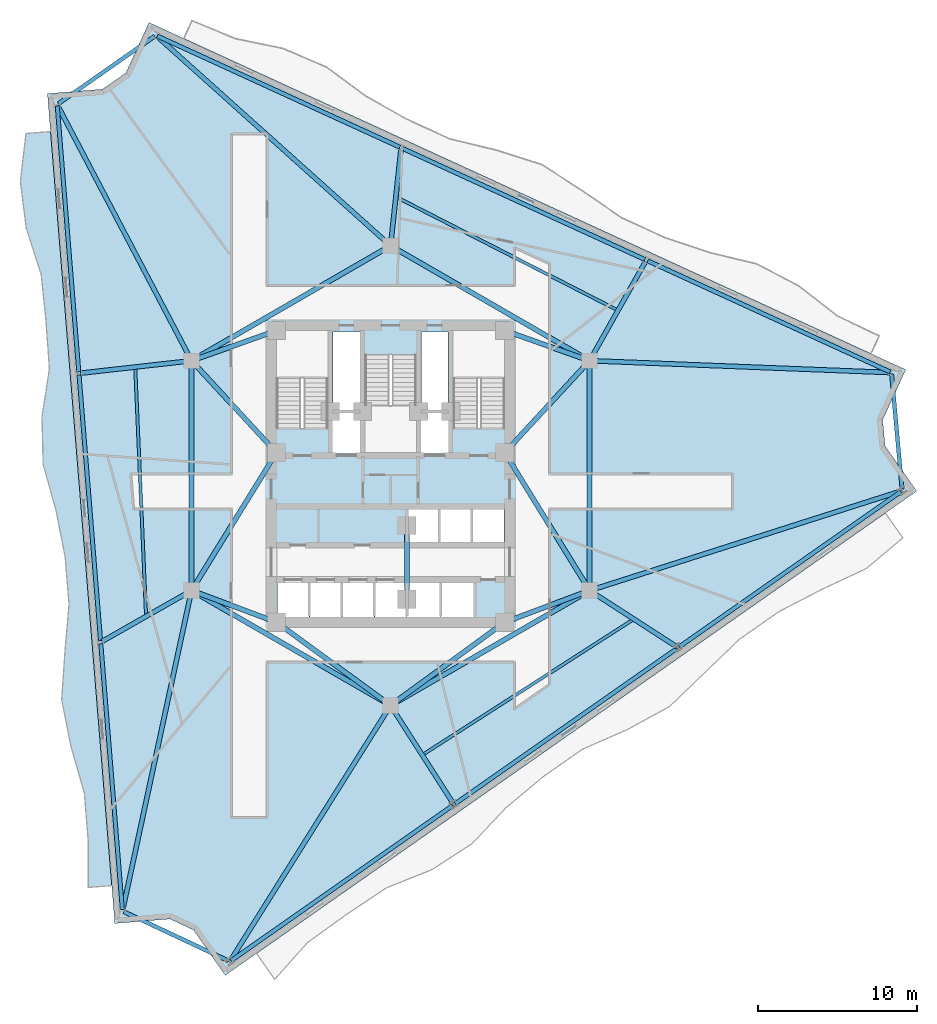
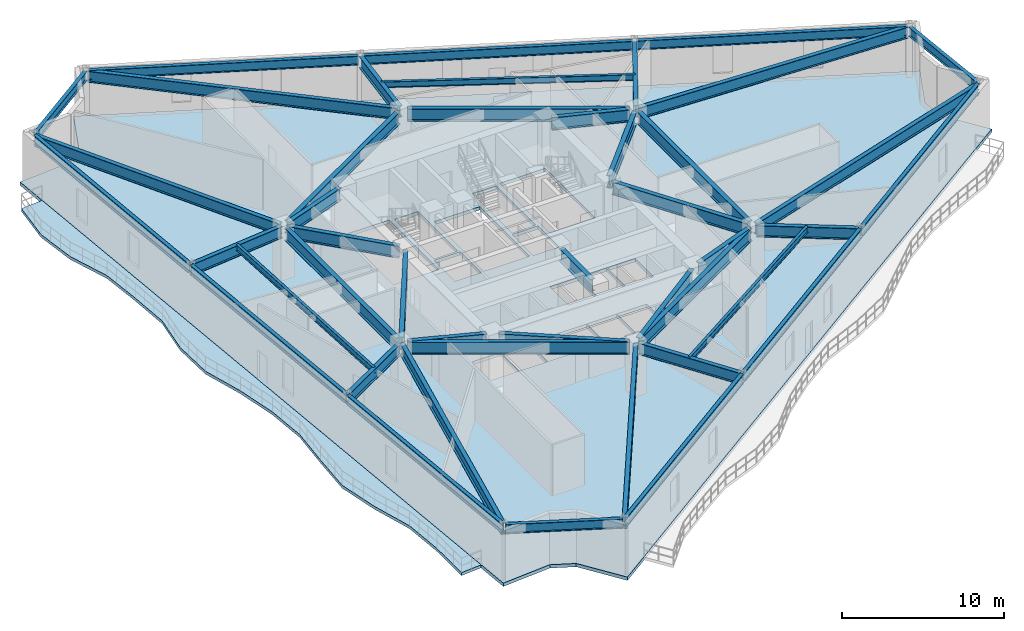
# One storey, part 3 of 11: 44 beams, 2 slabs.
"""IFC4 building model written with IfcOpenShell, lengths in metres."""

import ifcopenshell
import ifcopenshell.guid

model = None  # the IFC model being written
_history = None  # IfcOwnerHistory: only IFC2X3 demands one
_inside = {}  # id of a spatial element -> (the spatial element, [elements in it])
_under = {}  # id of a project, library or spatial element -> (it, [spatial elements below it])
_declared = {}  # id of a project -> (the project, [libraries it declares])
_typed = {}  # id of a type object -> (the type object, [elements of that type])
_made_of = {}  # id of a material, layer set ... -> (it, [elements and type objects made of it])


def new_model(schema):
    """Start an empty IFC model of exactly this schema.

    Asked for "IFC4X3", IfcOpenShell would pick the latest addendum, in which some entities
    have other attributes; the version numbers below select the first issue.
    IFC2X3 requires an IfcOwnerHistory on every rooted entity: one is made here for all.
    """
    global model, _history
    if schema == "IFC4X3":
        model = ifcopenshell.file(schema_version=(4, 3, 0, 0))
    else:
        model = ifcopenshell.file(schema=schema)
    _inside.clear()
    _under.clear()
    _declared.clear()
    _typed.clear()
    _made_of.clear()
    _history = None
    if model.schema == "IFC2X3":
        org = make("IfcOrganization", Name="unknown")
        user = make(
            "IfcPersonAndOrganization",
            ThePerson=make("IfcPerson", FamilyName="unknown"),
            TheOrganization=org,
        )
        app = make(
            "IfcApplication",
            ApplicationDeveloper=org,
            Version="unknown",
            ApplicationFullName="unknown",
            ApplicationIdentifier="unknown",
        )
        _history = make(
            "IfcOwnerHistory",
            OwningUser=user,
            OwningApplication=app,
            ChangeAction="ADDED",
            CreationDate=0,
        )
    return model


def make(cls, **values):
    """One entity of the class cls with the attributes given. An attribute that is None is left unset."""
    return model.create_entity(
        cls, **{name: value for name, value in values.items() if value is not None}
    )


def rooted(cls, **values):
    """An entity with a GlobalId (a new one), such as an element, a storey or a relation."""
    return make(cls, GlobalId=ifcopenshell.guid.new(), OwnerHistory=_history, **values)


def si_unit(unit_type, name, prefix=None):
    """IfcSIUnit, for example si_unit("LENGTHUNIT", "METRE", prefix="MILLI")."""
    return make("IfcSIUnit", UnitType=unit_type, Prefix=prefix, Name=name)


def assignment(units):
    """IfcUnitAssignment: the units of a project."""
    return None if units is None else make("IfcUnitAssignment", Units=units)


def point(xyz):
    """IfcCartesianPoint."""
    return None if xyz is None else make("IfcCartesianPoint", Coordinates=xyz)


def direction(xyz):
    """IfcDirection."""
    return None if xyz is None else make("IfcDirection", DirectionRatios=xyz)


def frame(location, z_axis=None, x_axis=None):
    """IfcAxis2Placement3D, a coordinate frame: its origin and axes. An axis left out is left unset."""
    return make(
        "IfcAxis2Placement3D",
        Location=point(location),
        Axis=direction(z_axis),
        RefDirection=direction(x_axis),
    )


def frame_2d(location, x_axis=None):
    """IfcAxis2Placement2D, a coordinate frame in the plane: its origin and x axis."""
    return make(
        "IfcAxis2Placement2D", Location=point(location), RefDirection=direction(x_axis)
    )


def origin():
    """The frame at (0, 0, 0) with its axes left unset."""
    return frame((0.0, 0.0, 0.0))


def origin_2d():
    """The frame at (0, 0) in the plane with its x axis left unset."""
    return frame_2d((0.0, 0.0))


def place(relative_to, where):
    """IfcLocalPlacement: puts the frame where relative to a parent placement (None: the world)."""
    return make(
        "IfcLocalPlacement", PlacementRelTo=relative_to, RelativePlacement=where
    )


def context(
    kind, dimensions, precision=None, world=None, true_north=None, identifier=None
):
    """IfcGeometricRepresentationContext, for example the 3D "Model" context."""
    return make(
        "IfcGeometricRepresentationContext",
        ContextIdentifier=identifier,
        ContextType=kind,
        CoordinateSpaceDimension=dimensions,
        Precision=precision,
        WorldCoordinateSystem=world,
        TrueNorth=true_north,
    )


def subcontext(parent, identifier, kind, view, scale=None):
    """IfcGeometricRepresentationSubContext, for example "Body" below "Model"."""
    return make(
        "IfcGeometricRepresentationSubContext",
        ContextIdentifier=identifier,
        ContextType=kind,
        ParentContext=parent,
        TargetScale=scale,
        TargetView=view,
    )


def project(units=None, contexts=None):
    """IfcProject with its units and contexts."""
    return rooted(
        "IfcProject",
        Name="project",
        RepresentationContexts=contexts,
        UnitsInContext=assignment(units),
    )


def spatial(cls, under=None, at=None, **own):
    """A site, building, storey or space (cls), placed at a placement, below another one or the project."""
    s = rooted(cls, ObjectPlacement=at, **own)
    if under is not None:
        _under.setdefault(under.id(), (under, []))[1].append(s)
    return s


def polyline(points):
    """IfcPolyline through the points."""
    return make("IfcPolyline", Points=[point(p) for p in points])


def profile(cls, at=None, kind="AREA", **sizes):
    """A parametric profile (cls). Its sizes go by their IFC names, for example OverallWidth=200.0."""
    return make(cls, ProfileType=kind, Position=at, **sizes)


def i_section(**sizes):
    """IfcIShapeProfileDef."""
    return profile("IfcIShapeProfileDef", **sizes)


def outline(outer, holes=None, kind="AREA"):
    """IfcArbitraryClosedProfileDef: a profile drawn as a closed curve; with holes, ...WithVoids."""
    if holes is None:
        return make("IfcArbitraryClosedProfileDef", ProfileType=kind, OuterCurve=outer)
    return make(
        "IfcArbitraryProfileDefWithVoids",
        ProfileType=kind,
        OuterCurve=outer,
        InnerCurves=holes,
    )


def extrude(swept, where, along, depth):
    """IfcExtrudedAreaSolid: the profile swept, set in the frame where, extruded along a direction by depth."""
    return make(
        "IfcExtrudedAreaSolid",
        SweptArea=swept,
        Position=where,
        ExtrudedDirection=direction(along),
        Depth=depth,
    )


def shape(context_of_items, identifier, shape_type, items):
    """IfcShapeRepresentation: the items that make up one representation, for example the "Body"."""
    return make(
        "IfcShapeRepresentation",
        ContextOfItems=context_of_items,
        RepresentationIdentifier=identifier,
        RepresentationType=shape_type,
        Items=items,
    )


def material(Name=None, Category=None):
    """IfcMaterial."""
    return make("IfcMaterial", Name=Name, Category=Category)


def layer(
    of_material, thickness, ventilated=None, Name=None, Category=None, Priority=None
):
    """IfcMaterialLayer: one layer of a wall or slab, of a material (None: an air gap)."""
    return make(
        "IfcMaterialLayer",
        Material=of_material,
        LayerThickness=thickness,
        IsVentilated=ventilated,
        Name=Name,
        Category=Category,
        Priority=Priority,
    )


def layer_set(layers, Name=None):
    """IfcMaterialLayerSet."""
    return make("IfcMaterialLayerSet", MaterialLayers=layers, LayerSetName=Name)


def material_profile(
    of_material, cross_section, Name=None, Category=None, Priority=None
):
    """IfcMaterialProfile: a cross section and its material."""
    return make(
        "IfcMaterialProfile",
        Name=Name,
        Material=of_material,
        Profile=cross_section,
        Priority=Priority,
        Category=Category,
    )


def profile_set(profiles, Name=None, composite=None):
    """IfcMaterialProfileSet."""
    return make(
        "IfcMaterialProfileSet",
        Name=Name,
        MaterialProfiles=profiles,
        CompositeProfile=composite,
    )


def made_of(thing, what):
    """Note that an element or type object is made of a material, layer set ...; save() writes the relation."""
    if what is not None:
        _made_of.setdefault(what.id(), (what, []))[1].append(thing)
    return thing


def type_object(cls, material=None, **own):
    """A type object (cls), such as IfcWallType, which elements share."""
    return made_of(rooted(cls, **own), material)


def element(
    cls,
    number,
    at=None,
    inside=None,
    cuts=None,
    type_object=None,
    material=None,
    context=None,
    identifier="Body",
    shape_type=None,
    held_by="IfcProductDefinitionShape",
    body=None,
    shapes=None,
    **own,
):
    """One element of the class cls, such as IfcWall. Its Tag is "e" and its number.

    at: its placement. inside: the storey or other place that contains it. cuts: it is an
    opening in that element (IfcRelVoidsElement). A single representation is given by context,
    identifier, shape_type and body (its items); several are given by shapes. held_by: the class
    of the entity that holds the representations. save() writes the other relations.
    """
    e = rooted(cls, Tag="e%d" % number, ObjectPlacement=at, **own)
    if body is not None:
        shapes = [shape(context, identifier, shape_type, body)]
    if shapes is not None:
        e.Representation = make(held_by, Representations=shapes)
    if inside is not None:
        _inside.setdefault(inside.id(), (inside, []))[1].append(e)
    if cuts is not None:
        rooted(
            "IfcRelVoidsElement", RelatingBuildingElement=cuts, RelatedOpeningElement=e
        )
    if type_object is not None:
        _typed.setdefault(type_object.id(), (type_object, []))[1].append(e)
    return made_of(e, material)


def aggregate(whole, parts):
    """IfcRelAggregates: a whole, such as a stair, and the parts it consists of."""
    return rooted("IfcRelAggregates", RelatingObject=whole, RelatedObjects=parts)


def save(model, path):
    """Write the relations noted so far, then the file.

    IfcRelAggregates (storeys below a building ...), IfcRelContainedInSpatialStructure (elements
    in a storey), IfcRelDefinesByType, IfcRelAssociatesMaterial and IfcRelDeclares: one each for
    every whole, place, type object, material and project.
    """
    for whole, parts in _under.values():
        aggregate(whole, parts)
    for where, things in _inside.values():
        rooted(
            "IfcRelContainedInSpatialStructure",
            RelatedElements=things,
            RelatingStructure=where,
        )
    for kind, things in _typed.values():
        rooted("IfcRelDefinesByType", RelatedObjects=things, RelatingType=kind)
    for what, things in _made_of.values():
        rooted("IfcRelAssociatesMaterial", RelatedObjects=things, RelatingMaterial=what)
    for by, libraries in _declared.values():
        rooted("IfcRelDeclares", RelatingContext=by, RelatedDefinitions=libraries)
    model.write(path)


model = new_model("IFC4")

# Units and contexts
model_context = context("Model", 3, precision=1e-05, world=origin(), true_north=direction((0.0, 1.0)))
body_context = subcontext(model_context, "Body", "Model", "MODEL_VIEW")
ifc_project = project(units=[si_unit("LENGTHUNIT", "METRE"), si_unit("AREAUNIT", "SQUARE_METRE"), si_unit("VOLUMEUNIT", "CUBIC_METRE"), si_unit("PLANEANGLEUNIT", "RADIAN"), si_unit("MASSUNIT", "GRAM", prefix="KILO")], contexts=[model_context])

# Site, building, storey
site_placement = place(None, origin())
site = spatial("IfcSite", under=ifc_project, at=site_placement, CompositionType="ELEMENT")
building_placement = place(site_placement, origin())
building = spatial("IfcBuilding", under=site, at=building_placement, Name="Apsidion Concourse Tower", CompositionType="ELEMENT")
storey_placement = place(building_placement, frame((0.0, 0.0, 206.5)))
storey = spatial("IfcBuildingStorey", under=building, at=storey_placement, Name="L48", CompositionType="ELEMENT", Elevation=206.5)

# Beams
ifc_material_1 = material(Name="Structural steel ASTM A992 Grade 50", Category="steel")
ifc_material_profile_1 = material_profile(ifc_material_1, i_section(OverallWidth=0.19091796875, OverallDepth=0.45703125, WebThickness=0.009033203125, FlangeThickness=0.014404296875, at=origin_2d()), Name="W18X50")
ifc_profile_set_1 = profile_set([ifc_material_profile_1], Name="Structural steel ASTM A992 Grade 50")
beam_type_1 = type_object("IfcBeamType", Name="BM-FL-W18", PredefinedType="BEAM", material=ifc_profile_set_1)
beam_1_placement = place(storey_placement, frame((-16.11181640625, 6.8505859375, 3.62158203125), z_axis=(0.043631006422, -0.999047714215, 0.0), x_axis=(0.999047714215, 0.043631006422, 0.0)))
element("IfcBeam", 1, at=beam_1_placement, inside=storey, type_object=beam_type_1, Name="L48 Secondary Floor Beam SEC-F1", PredefinedType="BEAM", context=body_context, shape_type="SweptSolid", body=[
    extrude(i_section(OverallWidth=0.19091796875, OverallDepth=0.45703125, WebThickness=0.009033203125, FlangeThickness=0.014404296875, at=origin_2d()), origin(), (0.0, 0.0, 1.0), 15.745849609375),
])
beam_2_placement = place(storey_placement, frame((1.998291015625, -17.62744140625, 3.62158203125), z_axis=(0.841372392943, 0.540455822796, 0.0), x_axis=(-0.540455822796, 0.841372392943, 0.0)))
element("IfcBeam", 2, at=beam_2_placement, inside=storey, type_object=beam_type_1, Name="L48 Secondary Floor Beam SEC-F2", PredefinedType="BEAM", context=body_context, shape_type="SweptSolid", body=[
    extrude(i_section(OverallWidth=0.19091796875, OverallDepth=0.45703125, WebThickness=0.009033203125, FlangeThickness=0.014404296875, at=origin_2d()), origin(), (0.0, 0.0, 1.0), 15.866943359375),
])
beam_3_placement = place(storey_placement, frame((14.345947265625, 10.4208984375, 3.62158203125), z_axis=(-0.89021964365, 0.455531542332, 0.0), x_axis=(-0.455531542332, -0.89021964365, 0.0)))
element("IfcBeam", 3, at=beam_3_placement, inside=storey, type_object=beam_type_1, Name="L48 Secondary Floor Beam SEC-F3", PredefinedType="BEAM", context=body_context, shape_type="SweptSolid", body=[
    extrude(i_section(OverallWidth=0.19091796875, OverallDepth=0.45703125, WebThickness=0.009033203125, FlangeThickness=0.014404296875, at=origin_2d()), origin(), (0.0, 0.0, 1.0), 15.742431640625),
])
ifc_material_profile_2 = material_profile(ifc_material_1, i_section(OverallWidth=0.2919921875, OverallDepth=0.85888671875, WebThickness=0.01708984375, FlangeThickness=0.031005859375, at=origin_2d()), Name="W33X169")
ifc_profile_set_2 = profile_set([ifc_material_profile_2], Name="Structural steel ASTM A992 Grade 50")
beam_type_2 = type_object("IfcBeamType", Name="BM-G-W33", PredefinedType="USERDEFINED", material=ifc_profile_set_2)
beam_4_placement = place(storey_placement, frame((-12.662109375, 7.44482421875, 3.42041015625), z_axis=(-0.464502454228, 0.885571832217, 0.0), x_axis=(-0.885571832217, -0.464502454228, 0.0)))
element("IfcBeam", 4, at=beam_4_placement, inside=storey, type_object=beam_type_2, Name="L48 Radial Floor Girder RAD-01", ObjectType="GIRDER", PredefinedType="USERDEFINED", context=body_context, shape_type="SweptSolid", body=[
    extrude(i_section(OverallWidth=0.2919921875, OverallDepth=0.85888671875, WebThickness=0.01708984375, FlangeThickness=0.031005859375, at=origin_2d()), origin(), (0.0, 0.0, 1.0), 17.93115234375),
])
beam_5_placement = place(storey_placement, frame((-12.778564453125, 7.225341796875, 3.42041015625), z_axis=(-0.993738563009, -0.111730337821, 0.0), x_axis=(0.111730337821, -0.993738563009, 0.0)))
element("IfcBeam", 5, at=beam_5_placement, inside=storey, type_object=beam_type_2, Name="L48 Radial Floor Girder RAD-02", ObjectType="GIRDER", PredefinedType="USERDEFINED", context=body_context, shape_type="SweptSolid", body=[
    extrude(i_section(OverallWidth=0.2919921875, OverallDepth=0.85888671875, WebThickness=0.01708984375, FlangeThickness=0.031005859375, at=origin_2d()), origin(), (0.0, 0.0, 1.0), 6.828369140625),
])
beam_6_placement = place(storey_placement, frame((-12.751220703125, -7.35888671875, 3.42041015625), z_axis=(-0.869137581248, -0.494570384134, 0.0), x_axis=(0.494570384134, -0.869137581248, 0.0)))
element("IfcBeam", 6, at=beam_6_placement, inside=storey, type_object=beam_type_2, Name="L48 Radial Floor Girder RAD-03", ObjectType="GIRDER", PredefinedType="USERDEFINED", context=body_context, shape_type="SweptSolid", body=[
    extrude(i_section(OverallWidth=0.2919921875, OverallDepth=0.85888671875, WebThickness=0.01708984375, FlangeThickness=0.031005859375, at=origin_2d()), origin(), (0.0, 0.0, 1.0), 6.272216796875),
])
beam_7_placement = place(storey_placement, frame((-12.606201171875, -7.465087890625, 3.42041015625), z_axis=(-0.210551493457, -0.97758276816, 0.0), x_axis=(0.97758276816, -0.210551493457, 0.0)))
element("IfcBeam", 7, at=beam_7_placement, inside=storey, type_object=beam_type_2, Name="L48 Radial Floor Girder RAD-04", ObjectType="GIRDER", PredefinedType="USERDEFINED", context=body_context, shape_type="SweptSolid", body=[
    extrude(i_section(OverallWidth=0.2919921875, OverallDepth=0.85888671875, WebThickness=0.01708984375, FlangeThickness=0.031005859375, at=origin_2d()), origin(), (0.0, 0.0, 1.0), 20.365966796875),
])
beam_8_placement = place(storey_placement, frame((-0.116943359375, -14.686279296875, 3.42041015625), z_axis=(-0.531745770751, -0.846904029562, 0.0), x_axis=(0.846904029562, -0.531745770751, 0.0)))
element("IfcBeam", 8, at=beam_8_placement, inside=storey, type_object=beam_type_2, Name="L48 Radial Floor Girder RAD-05", ObjectType="GIRDER", PredefinedType="USERDEFINED", context=body_context, shape_type="SweptSolid", body=[
    extrude(i_section(OverallWidth=0.2919921875, OverallDepth=0.85888671875, WebThickness=0.01708984375, FlangeThickness=0.031005859375, at=origin_2d()), origin(), (0.0, 0.0, 1.0), 18.7568359375),
])
beam_9_placement = place(storey_placement, frame((0.118408203125, -14.685302734375, 3.42041015625), z_axis=(0.538373682335, -0.842706222933, 0.0), x_axis=(0.842706222933, 0.538373682335, 0.0)))
element("IfcBeam", 9, at=beam_9_placement, inside=storey, type_object=beam_type_2, Name="L48 Radial Floor Girder RAD-06", ObjectType="GIRDER", PredefinedType="USERDEFINED", context=body_context, shape_type="SweptSolid", body=[
    extrude(i_section(OverallWidth=0.2919921875, OverallDepth=0.85888671875, WebThickness=0.01708984375, FlangeThickness=0.031005859375, at=origin_2d()), origin(), (0.0, 0.0, 1.0), 7.102783203125),
])
beam_10_placement = place(storey_placement, frame((12.744873046875, -7.369384765625, 3.42041015625), z_axis=(0.839870608356, -0.542786662714, 0.0), x_axis=(0.542786662714, 0.839870608356, 0.0)))
element("IfcBeam", 10, at=beam_10_placement, inside=storey, type_object=beam_type_2, Name="L48 Radial Floor Girder RAD-07", ObjectType="GIRDER", PredefinedType="USERDEFINED", context=body_context, shape_type="SweptSolid", body=[
    extrude(i_section(OverallWidth=0.2919921875, OverallDepth=0.85888671875, WebThickness=0.01708984375, FlangeThickness=0.031005859375, at=origin_2d()), origin(), (0.0, 0.0, 1.0), 6.319580078125),
])
beam_11_placement = place(storey_placement, frame((12.76953125, -7.18310546875, 3.42041015625), z_axis=(0.952593847726, 0.304244903449, 0.0), x_axis=(-0.304244903449, 0.952593847726, 0.0)))
element("IfcBeam", 11, at=beam_11_placement, inside=storey, type_object=beam_type_2, Name="L48 Radial Floor Girder RAD-08", ObjectType="GIRDER", PredefinedType="USERDEFINED", context=body_context, shape_type="SweptSolid", body=[
    extrude(i_section(OverallWidth=0.2919921875, OverallDepth=0.85888671875, WebThickness=0.01708984375, FlangeThickness=0.031005859375, at=origin_2d()), origin(), (0.0, 0.0, 1.0), 20.378173828125),
])
beam_12_placement = place(storey_placement, frame((12.77978515625, 7.2412109375, 3.42041015625), z_axis=(0.999223835847, -0.039391951902, 0.0), x_axis=(0.039391951902, 0.999223835847, 0.0)))
element("IfcBeam", 12, at=beam_12_placement, inside=storey, type_object=beam_type_2, Name="L48 Radial Floor Girder RAD-09", ObjectType="GIRDER", PredefinedType="USERDEFINED", context=body_context, shape_type="SweptSolid", body=[
    extrude(i_section(OverallWidth=0.2919921875, OverallDepth=0.85888671875, WebThickness=0.01708984375, FlangeThickness=0.031005859375, at=origin_2d()), origin(), (0.0, 0.0, 1.0), 18.73583984375),
])
beam_13_placement = place(storey_placement, frame((12.66796875, 7.441650390625, 3.42041015625), z_axis=(0.4907642116, 0.871292424283, 0.0), x_axis=(-0.871292424283, 0.4907642116, 0.0)))
element("IfcBeam", 13, at=beam_13_placement, inside=storey, type_object=beam_type_2, Name="L48 Radial Floor Girder RAD-10", ObjectType="GIRDER", PredefinedType="USERDEFINED", context=body_context, shape_type="SweptSolid", body=[
    extrude(i_section(OverallWidth=0.2919921875, OverallDepth=0.85888671875, WebThickness=0.01708984375, FlangeThickness=0.031005859375, at=origin_2d()), origin(), (0.0, 0.0, 1.0), 6.95849609375),
])
beam_14_placement = place(storey_placement, frame((0.0234375, 14.71875, 3.42041015625), z_axis=(0.106642710953, 0.994297406313, 0.0), x_axis=(-0.994297406313, 0.106642710953, 0.0)))
element("IfcBeam", 14, at=beam_14_placement, inside=storey, type_object=beam_type_2, Name="L48 Radial Floor Girder RAD-11", ObjectType="GIRDER", PredefinedType="USERDEFINED", context=body_context, shape_type="SweptSolid", body=[
    extrude(i_section(OverallWidth=0.2919921875, OverallDepth=0.85888671875, WebThickness=0.01708984375, FlangeThickness=0.031005859375, at=origin_2d()), origin(), (0.0, 0.0, 1.0), 5.899658203125),
])
beam_15_placement = place(storey_placement, frame((-0.163818359375, 14.64697265625, 3.42041015625), z_axis=(-0.74450463884, 0.667617287632, 0.0), x_axis=(-0.667617287632, -0.74450463884, 0.0)))
element("IfcBeam", 15, at=beam_15_placement, inside=storey, type_object=beam_type_2, Name="L48 Radial Floor Girder RAD-12", ObjectType="GIRDER", PredefinedType="USERDEFINED", context=body_context, shape_type="SweptSolid", body=[
    extrude(i_section(OverallWidth=0.2919921875, OverallDepth=0.85888671875, WebThickness=0.01708984375, FlangeThickness=0.031005859375, at=origin_2d()), origin(), (0.0, 0.0, 1.0), 19.566162109375),
])
ifc_material_profile_3 = material_profile(ifc_material_1, i_section(OverallWidth=0.31005859375, OverallDepth=0.931884765625, WebThickness=0.02099609375, FlangeThickness=0.034423828125, at=origin_2d()), Name="W36X210")
ifc_profile_set_3 = profile_set([ifc_material_profile_3], Name="Structural steel ASTM A992 Grade 50")
beam_type_3 = type_object("IfcBeamType", Name="BM-G-W36", PredefinedType="USERDEFINED", material=ifc_profile_set_3)
beam_16_placement = place(storey_placement, frame((-12.185302734375, -7.389892578125, 3.384033203125), z_axis=(0.936913021145, -0.349562570664, 0.0), x_axis=(0.349562570664, 0.936913021145, 0.0)))
element("IfcBeam", 16, at=beam_16_placement, inside=storey, type_object=beam_type_3, Name="L48 Core Coupling Girder IC1-SC1", ObjectType="GIRDER", PredefinedType="USERDEFINED", context=body_context, shape_type="SweptSolid", body=[
    extrude(i_section(OverallWidth=0.31005859375, OverallDepth=0.931884765625, WebThickness=0.02099609375, FlangeThickness=0.034423828125, at=origin_2d()), origin(), (0.0, 0.0, 1.0), 4.921142578125),
])
beam_17_placement = place(storey_placement, frame((-12.35009765625, -6.909423828125, 3.384033203125), z_axis=(0.524524009763, 0.851395656074, 0.0), x_axis=(-0.851395656074, 0.524524009763, 0.0)))
element("IfcBeam", 17, at=beam_17_placement, inside=storey, type_object=beam_type_3, Name="L48 Core Coupling Girder IC1-SC6", ObjectType="GIRDER", PredefinedType="USERDEFINED", context=body_context, shape_type="SweptSolid", body=[
    extrude(i_section(OverallWidth=0.31005859375, OverallDepth=0.931884765625, WebThickness=0.02099609375, FlangeThickness=0.034423828125, at=origin_2d()), origin(), (0.0, 0.0, 1.0), 9.41845703125),
])
beam_18_placement = place(storey_placement, frame((12.185302734375, -7.389892578125, 3.384033203125), z_axis=(-0.936913021145, -0.349562570664, 0.0), x_axis=(0.349562570664, -0.936913021145, 0.0)))
element("IfcBeam", 18, at=beam_18_placement, inside=storey, type_object=beam_type_3, Name="L48 Core Coupling Girder IC2-SC2", ObjectType="GIRDER", PredefinedType="USERDEFINED", context=body_context, shape_type="SweptSolid", body=[
    extrude(i_section(OverallWidth=0.31005859375, OverallDepth=0.931884765625, WebThickness=0.02099609375, FlangeThickness=0.034423828125, at=origin_2d()), origin(), (0.0, 0.0, 1.0), 4.921142578125),
])
beam_19_placement = place(storey_placement, frame((12.35009765625, -6.909423828125, 3.384033203125), z_axis=(-0.524524009763, 0.851395656074, 0.0), x_axis=(-0.851395656074, -0.524524009763, 0.0)))
element("IfcBeam", 19, at=beam_19_placement, inside=storey, type_object=beam_type_3, Name="L48 Core Coupling Girder IC2-SC3", ObjectType="GIRDER", PredefinedType="USERDEFINED", context=body_context, shape_type="SweptSolid", body=[
    extrude(i_section(OverallWidth=0.31005859375, OverallDepth=0.931884765625, WebThickness=0.02099609375, FlangeThickness=0.034423828125, at=origin_2d()), origin(), (0.0, 0.0, 1.0), 9.41845703125),
])
beam_20_placement = place(storey_placement, frame((12.28857421875, 6.956298828125, 3.384033203125), z_axis=(-0.678712876106, -0.73440372535, 0.0), x_axis=(0.73440372535, -0.678712876106, 0.0)))
element("IfcBeam", 20, at=beam_20_placement, inside=storey, type_object=beam_type_3, Name="L48 Core Coupling Girder IC3-SC3", ObjectType="GIRDER", PredefinedType="USERDEFINED", context=body_context, shape_type="SweptSolid", body=[
    extrude(i_section(OverallWidth=0.31005859375, OverallDepth=0.931884765625, WebThickness=0.02099609375, FlangeThickness=0.034423828125, at=origin_2d()), origin(), (0.0, 0.0, 1.0), 7.097412109375),
])
beam_21_placement = place(storey_placement, frame((12.18310546875, 7.383544921875, 3.384033203125), z_axis=(-0.942533844539, 0.334110688094, 0.0), x_axis=(-0.334110688094, -0.942533844539, 0.0)))
element("IfcBeam", 21, at=beam_21_placement, inside=storey, type_object=beam_type_3, Name="L48 Core Coupling Girder IC3-SC4", ObjectType="GIRDER", PredefinedType="USERDEFINED", context=body_context, shape_type="SweptSolid", body=[
    extrude(i_section(OverallWidth=0.31005859375, OverallDepth=0.931884765625, WebThickness=0.02099609375, FlangeThickness=0.034423828125, at=origin_2d()), origin(), (0.0, 0.0, 1.0), 4.886962890625),
])
beam_22_placement = place(storey_placement, frame((-12.28857421875, 6.956298828125, 3.384033203125), z_axis=(0.678712876106, -0.73440372535, 0.0), x_axis=(0.73440372535, 0.678712876106, 0.0)))
element("IfcBeam", 22, at=beam_22_placement, inside=storey, type_object=beam_type_3, Name="L48 Core Coupling Girder IC5-SC6", ObjectType="GIRDER", PredefinedType="USERDEFINED", context=body_context, shape_type="SweptSolid", body=[
    extrude(i_section(OverallWidth=0.31005859375, OverallDepth=0.931884765625, WebThickness=0.02099609375, FlangeThickness=0.034423828125, at=origin_2d()), origin(), (0.0, 0.0, 1.0), 7.097412109375),
])
beam_23_placement = place(storey_placement, frame((-12.18310546875, 7.383544921875, 3.384033203125), z_axis=(0.942533844539, 0.334110688094, 0.0), x_axis=(-0.334110688094, 0.942533844539, 0.0)))
element("IfcBeam", 23, at=beam_23_placement, inside=storey, type_object=beam_type_3, Name="L48 Core Coupling Girder IC5-SC5", ObjectType="GIRDER", PredefinedType="USERDEFINED", context=body_context, shape_type="SweptSolid", body=[
    extrude(i_section(OverallWidth=0.31005859375, OverallDepth=0.931884765625, WebThickness=0.02099609375, FlangeThickness=0.034423828125, at=origin_2d()), origin(), (0.0, 0.0, 1.0), 4.886962890625),
])
for number, where, z_axis, x_axis, name in (
    (24, (-0.3232421875, -14.264404296875, 3.384033203125), (-0.807993498909, 0.589191399905, 0.0), (-0.589191399905, -0.807993498909, 0.0), "L48 Core Coupling Girder IC6-SC1"),
    (25, (0.3232421875, -14.264404296875, 3.384033203125), (0.807993498909, 0.589191399905, 0.0), (-0.589191399905, 0.807993498909, 0.0), "L48 Core Coupling Girder IC6-SC2"),
):
    element("IfcBeam", number, at=place(storey_placement, frame(where, z_axis=z_axis, x_axis=x_axis)), inside=storey, type_object=beam_type_3, Name=name, ObjectType="GIRDER", PredefinedType="USERDEFINED", context=body_context, shape_type="SweptSolid", body=[
        extrude(i_section(OverallWidth=0.31005859375, OverallDepth=0.931884765625, WebThickness=0.02099609375, FlangeThickness=0.034423828125, at=origin_2d()), origin(), (0.0, 0.0, 1.0), 8.11083984375),
    ])
beam_24_placement = place(storey_placement, frame((-12.56005859375, -6.85009765625, 3.384033203125), z_axis=(0.0, 1.0, 0.0), x_axis=(-1.0, 0.0, 0.0)))
element("IfcBeam", 26, at=beam_24_placement, inside=storey, type_object=beam_type_3, Name="L48 Core Coupling Girder IC1-IC5", ObjectType="GIRDER", PredefinedType="USERDEFINED", context=body_context, shape_type="SweptSolid", body=[
    extrude(i_section(OverallWidth=0.31005859375, OverallDepth=0.931884765625, WebThickness=0.02099609375, FlangeThickness=0.034423828125, at=origin_2d()), origin(), (0.0, 0.0, 1.0), 13.7001953125),
])
for number, where, z_axis, x_axis, name in (
    (27, (-12.213623046875, 7.449951171875, 3.384033203125), (0.866070471464, 0.499921932364, 0.0), (-0.499921932364, 0.866070471464, 0.0), "L48 Core Coupling Girder IC5-IC4"),
    (28, (0.346435546875, 14.300048828125, 3.384033203125), (0.866070471464, -0.499921932364, 0.0), (0.499921932364, 0.866070471464, 0.0), "L48 Core Coupling Girder IC4-IC3"),
):
    element("IfcBeam", number, at=place(storey_placement, frame(where, z_axis=z_axis, x_axis=x_axis)), inside=storey, type_object=beam_type_3, Name=name, ObjectType="GIRDER", PredefinedType="USERDEFINED", context=body_context, shape_type="SweptSolid", body=[
        extrude(i_section(OverallWidth=0.31005859375, OverallDepth=0.931884765625, WebThickness=0.02099609375, FlangeThickness=0.034423828125, at=origin_2d()), origin(), (0.0, 0.0, 1.0), 13.702392578125),
    ])
beam_25_placement = place(storey_placement, frame((12.56005859375, 6.85009765625, 3.384033203125), z_axis=(0.0, -1.0, 0.0), x_axis=(1.0, 0.0, 0.0)))
element("IfcBeam", 29, at=beam_25_placement, inside=storey, type_object=beam_type_3, Name="L48 Core Coupling Girder IC3-IC2", ObjectType="GIRDER", PredefinedType="USERDEFINED", context=body_context, shape_type="SweptSolid", body=[
    extrude(i_section(OverallWidth=0.31005859375, OverallDepth=0.931884765625, WebThickness=0.02099609375, FlangeThickness=0.034423828125, at=origin_2d()), origin(), (0.0, 0.0, 1.0), 13.7001953125),
])
for number, where, z_axis, x_axis, name in (
    (30, (12.213623046875, -7.449951171875, 3.384033203125), (-0.866070471464, -0.499921932364, 0.0), (0.499921932364, -0.866070471464, 0.0), "L48 Core Coupling Girder IC2-IC6"),
    (31, (-0.346435546875, -14.300048828125, 3.384033203125), (-0.866070471464, 0.499921932364, 0.0), (-0.499921932364, -0.866070471464, 0.0), "L48 Core Coupling Girder IC6-IC1"),
):
    element("IfcBeam", number, at=place(storey_placement, frame(where, z_axis=z_axis, x_axis=x_axis)), inside=storey, type_object=beam_type_3, Name=name, ObjectType="GIRDER", PredefinedType="USERDEFINED", context=body_context, shape_type="SweptSolid", body=[
        extrude(i_section(OverallWidth=0.31005859375, OverallDepth=0.931884765625, WebThickness=0.02099609375, FlangeThickness=0.034423828125, at=origin_2d()), origin(), (0.0, 0.0, 1.0), 13.702392578125),
    ])
beam_26_placement = place(storey_placement, frame((1.02490234375, -3.550048828125, 3.384033203125), z_axis=(0.0, -1.0, 0.0), x_axis=(1.0, 0.0, 0.0)))
element("IfcBeam", 32, at=beam_26_placement, inside=storey, type_object=beam_type_3, Name="L48 Core Coupling Girder CC5-CC6", ObjectType="GIRDER", PredefinedType="USERDEFINED", context=body_context, shape_type="SweptSolid", body=[
    extrude(i_section(OverallWidth=0.31005859375, OverallDepth=0.931884765625, WebThickness=0.02099609375, FlangeThickness=0.034423828125, at=origin_2d()), origin(), (0.0, 0.0, 1.0), 3.849853515625),
])
ifc_material_profile_4 = material_profile(ifc_material_1, i_section(OverallWidth=0.256103515625, OverallDepth=0.693115234375, WebThickness=0.014404296875, FlangeThickness=0.023681640625, at=origin_2d()), Name="W27X114")
ifc_profile_set_4 = profile_set([ifc_material_profile_4], Name="Structural steel ASTM A992 Grade 50")
beam_type_4 = type_object("IfcBeamType", Name="BM-SP-W27", PredefinedType="SPANDREL", material=ifc_profile_set_4)
for number, where, z_axis, x_axis, name in (
    (33, (-21.029541015625, 23.31298828125, 3.50341796875), (0.080745704709, -0.996734734607, 0.0), (0.996734734607, 0.080745704709, 0.0), "L48 Perimeter Spandrel Girder SP-01"),
    (34, (-19.655517578125, 6.351318359375, 3.50341796875), (0.080745704709, -0.996734734607, 0.0), (0.996734734607, 0.080745704709, 0.0), "L48 Perimeter Spandrel Girder SP-02"),
):
    element("IfcBeam", number, at=place(storey_placement, frame(where, z_axis=z_axis, x_axis=x_axis)), inside=storey, type_object=beam_type_4, Name=name, PredefinedType="SPANDREL", context=body_context, shape_type="SweptSolid", body=[
        extrude(i_section(OverallWidth=0.256103515625, OverallDepth=0.693115234375, WebThickness=0.014404296875, FlangeThickness=0.023681640625, at=origin_2d()), origin(), (0.0, 0.0, 1.0), 16.817138671875),
    ])
beam_27_placement = place(storey_placement, frame((-18.281494140625, -10.610107421875, 3.50341796875), z_axis=(0.080744536336, -0.996734829256, 0.0), x_axis=(0.996734829256, 0.080744536336, 0.0)))
element("IfcBeam", 35, at=beam_27_placement, inside=storey, type_object=beam_type_4, Name="L48 Perimeter Spandrel Girder SP-03", PredefinedType="SPANDREL", context=body_context, shape_type="SweptSolid", body=[
    extrude(i_section(OverallWidth=0.256103515625, OverallDepth=0.693115234375, WebThickness=0.014404296875, FlangeThickness=0.023681640625, at=origin_2d()), origin(), (0.0, 0.0, 1.0), 16.8173828125),
])
beam_28_placement = place(storey_placement, frame((-16.824951171875, -27.514892578125, 3.50341796875), z_axis=(0.904961486734, -0.425493487057, 0.0), x_axis=(0.425493487057, 0.904961486734, 0.0)))
element("IfcBeam", 36, at=beam_28_placement, inside=storey, type_object=beam_type_4, Name="L48 Perimeter Spandrel Girder SP-04", PredefinedType="SPANDREL", context=body_context, shape_type="SweptSolid", body=[
    extrude(i_section(OverallWidth=0.256103515625, OverallDepth=0.693115234375, WebThickness=0.014404296875, FlangeThickness=0.023681640625, at=origin_2d()), origin(), (0.0, 0.0, 1.0), 7.282470703125),
])
beam_29_placement = place(storey_placement, frame((-10.06201171875, -30.598876953125, 3.50341796875), z_axis=(0.819150571533, 0.573578539659, 0.0), x_axis=(-0.573578539659, 0.819150571533, 0.0)))
element("IfcBeam", 37, at=beam_29_placement, inside=storey, type_object=beam_type_4, Name="L48 Perimeter Spandrel Girder SP-05", PredefinedType="SPANDREL", context=body_context, shape_type="SweptSolid", body=[
    extrude(i_section(OverallWidth=0.256103515625, OverallDepth=0.693115234375, WebThickness=0.014404296875, FlangeThickness=0.023681640625, at=origin_2d()), origin(), (0.0, 0.0, 1.0), 17.06201171875),
])
beam_30_placement = place(storey_placement, frame((4.078125, -20.69775390625, 3.50341796875), z_axis=(0.81915527902, 0.573571816649, 0.0), x_axis=(-0.573571816649, 0.81915527902, 0.0)))
element("IfcBeam", 38, at=beam_30_placement, inside=storey, type_object=beam_type_4, Name="L48 Perimeter Spandrel Girder SP-06", PredefinedType="SPANDREL", context=body_context, shape_type="SweptSolid", body=[
    extrude(i_section(OverallWidth=0.256103515625, OverallDepth=0.693115234375, WebThickness=0.014404296875, FlangeThickness=0.023681640625, at=origin_2d()), origin(), (0.0, 0.0, 1.0), 17.062255859375),
])
beam_31_placement = place(storey_placement, frame((18.218505859375, -10.79638671875, 3.50341796875), z_axis=(0.81916200197, 0.573562215046, 0.0), x_axis=(-0.573562215046, 0.81916200197, 0.0)))
element("IfcBeam", 39, at=beam_31_placement, inside=storey, type_object=beam_type_4, Name="L48 Perimeter Spandrel Girder SP-07", PredefinedType="SPANDREL", context=body_context, shape_type="SweptSolid", body=[
    extrude(i_section(OverallWidth=0.256103515625, OverallDepth=0.693115234375, WebThickness=0.014404296875, FlangeThickness=0.023681640625, at=origin_2d()), origin(), (0.0, 0.0, 1.0), 17.06201171875),
])
beam_32_placement = place(storey_placement, frame((32.267822265625, -0.853271484375, 3.50341796875), z_axis=(-0.090345320994, 0.99591049948, 0.0), x_axis=(-0.99591049948, -0.090345320994, 0.0)))
element("IfcBeam", 40, at=beam_32_placement, inside=storey, type_object=beam_type_4, Name="L48 Perimeter Spandrel Girder SP-08", PredefinedType="SPANDREL", context=body_context, shape_type="SweptSolid", body=[
    extrude(i_section(OverallWidth=0.256103515625, OverallDepth=0.693115234375, WebThickness=0.014404296875, FlangeThickness=0.023681640625, at=origin_2d()), origin(), (0.0, 0.0, 1.0), 7.28271484375),
])
beam_33_placement = place(storey_placement, frame((31.510009765625, 6.541015625, 3.50341796875), z_axis=(-0.909009828689, 0.416774676949, 0.0), x_axis=(-0.416774676949, -0.909009828689, 0.0)))
element("IfcBeam", 41, at=beam_33_placement, inside=storey, type_object=beam_type_4, Name="L48 Perimeter Spandrel Girder SP-09", PredefinedType="SPANDREL", context=body_context, shape_type="SweptSolid", body=[
    extrude(i_section(OverallWidth=0.256103515625, OverallDepth=0.693115234375, WebThickness=0.014404296875, FlangeThickness=0.023681640625, at=origin_2d()), origin(), (0.0, 0.0, 1.0), 16.8173828125),
])
beam_34_placement = place(storey_placement, frame((16.041015625, 13.63330078125, 3.50341796875), z_axis=(-0.909007306983, 0.416780176893, 0.0), x_axis=(-0.416780176893, -0.909007306983, 0.0)))
element("IfcBeam", 42, at=beam_34_placement, inside=storey, type_object=beam_type_4, Name="L48 Perimeter Spandrel Girder SP-10", PredefinedType="SPANDREL", context=body_context, shape_type="SweptSolid", body=[
    extrude(i_section(OverallWidth=0.256103515625, OverallDepth=0.693115234375, WebThickness=0.014404296875, FlangeThickness=0.023681640625, at=origin_2d()), origin(), (0.0, 0.0, 1.0), 16.817138671875),
])
beam_35_placement = place(storey_placement, frame((0.572509765625, 20.725830078125, 3.50341796875), z_axis=(-0.909009828689, 0.416774676949, 0.0), x_axis=(-0.416774676949, -0.909009828689, 0.0)))
element("IfcBeam", 43, at=beam_35_placement, inside=storey, type_object=beam_type_4, Name="L48 Perimeter Spandrel Girder SP-11", PredefinedType="SPANDREL", context=body_context, shape_type="SweptSolid", body=[
    extrude(i_section(OverallWidth=0.256103515625, OverallDepth=0.693115234375, WebThickness=0.014404296875, FlangeThickness=0.023681640625, at=origin_2d()), origin(), (0.0, 0.0, 1.0), 16.8173828125),
])
beam_36_placement = place(storey_placement, frame((-14.887451171875, 27.71923828125, 3.50341796875), z_axis=(-0.819157596458, -0.57356850695, 0.0), x_axis=(0.57356850695, -0.819157596458, 0.0)))
element("IfcBeam", 44, at=beam_36_placement, inside=storey, type_object=beam_type_4, Name="L48 Perimeter Spandrel Girder SP-12", PredefinedType="SPANDREL", context=body_context, shape_type="SweptSolid", body=[
    extrude(i_section(OverallWidth=0.256103515625, OverallDepth=0.693115234375, WebThickness=0.014404296875, FlangeThickness=0.023681640625, at=origin_2d()), origin(), (0.0, 0.0, 1.0), 7.407958984375),
])

# Slabs
ifc_material_2 = material(Name="Concrete C50/60", Category="concrete")
ifc_layer_1 = layer(ifc_material_2, 0.219970703125)
ifc_layer_set_1 = layer_set([ifc_layer_1], Name="Concrete C50/60")
slab_type_1 = type_object("IfcSlabType", Name="SL-BAL-220", PredefinedType="FLOOR", material=ifc_layer_set_1)
slab_1_placement = place(storey_placement, frame((0.0, 0.0, -0.219970703125)))
element("IfcSlab", 45, at=slab_1_placement, inside=storey, type_object=slab_type_1, Name="L48 Face 1 Rippling Balcony Slab", PredefinedType="FLOOR", context=body_context, shape_type="SweptSolid", body=[
    extrude(outline(polyline([(-21.455810546875, 21.7080078125), (-21.21435546875, 18.73486328125), (-20.972900390625, 15.76171875), (-20.7314453125, 12.788330078125), (-20.489990234375, 9.815185546875), (-20.248779296875, 6.842041015625), (-20.00732421875, 3.868896484375), (-19.765869140625, 0.8955078125), (-19.5244140625, -2.07763671875), (-19.283203125, -5.05078125), (-19.041748046875, -8.024169921875), (-18.80029296875, -10.997314453125), (-18.558837890625, -13.970458984375), (-18.3173828125, -16.943603515625), (-18.075927734375, -19.9169921875), (-17.834716796875, -22.89013671875), (-17.59326171875, -25.86328125), (-19.069091796875, -25.983154296875), (-19.08056640625, -22.9912109375), (-19.322021484375, -20.01806640625), (-20.161376953125, -17.093505859375), (-20.74951171875, -14.148193359375), (-20.548583984375, -11.13916015625), (-20.28759765625, -8.125244140625), (-20.529052734375, -5.152099609375), (-21.10400390625, -2.205810546875), (-21.92041015625, 0.720703125), (-21.99169921875, 3.70751953125), (-21.52587890625, 6.73828125), (-21.736083984375, 9.714111328125), (-22.04052734375, 12.68212890625), (-22.982177734375, 15.598388671875), (-23.356201171875, 18.560791015625), (-23.000732421875, 21.58251953125), (-21.455810546875, 21.7080078125)])), origin(), (0.0, 0.0, 1.0), 0.219970703125),
])
ifc_layer_2 = layer(ifc_material_2, 0.25)
ifc_layer_set_2 = layer_set([ifc_layer_2], Name="Concrete C50/60")
slab_type_2 = type_object("IfcSlabType", Name="SL-FLR-250", PredefinedType="FLOOR", material=ifc_layer_set_2)
slab_2_placement = place(storey_placement, frame((0.0, 0.0, -0.25)))
element("IfcSlab", 46, at=slab_2_placement, inside=storey, type_object=slab_type_2, Name="L48 Structural Floor Slab", PredefinedType="FLOOR", context=body_context, shape_type="SweptSolid", body=[
    extrude(outline(polyline([(-15.241943359375, 28.5869140625), (-16.6982421875, 25.41259765625), (-18.1689453125, 24.3828125), (-21.64990234375, 24.10009765625), (-17.39892578125, -28.25537109375), (-13.91796875, -27.972900390625), (-12.436279296875, -28.669189453125), (-10.43310546875, -31.530029296875), (33.197021484375, -0.97998046875), (31.19384765625, 1.880859375), (31.0458984375, 3.51123046875), (32.502197265625, 6.685791015625), (-15.241943359375, 28.5869140625)]), holes=[polyline([(-3.949951171875, 3.0), (-3.949951171875, 9.14990234375), (-7.199951171875, 9.14990234375), (-7.199951171875, 3.0), (-3.949951171875, 3.0)]), polyline([(7.199951171875, 3.0), (7.199951171875, 9.14990234375), (3.949951171875, 9.14990234375), (3.949951171875, 3.0), (7.199951171875, 3.0)]), polyline([(-1.625, 7.60009765625), (-1.625, 1.449951171875), (1.625, 1.449951171875), (1.625, 7.60009765625), (-1.625, 7.60009765625)]), polyline([(1.054931640625, -4.300048828125), (3.044921875, -4.300048828125), (3.044921875, -2.050048828125), (1.054931640625, -2.050048828125), (1.054931640625, -4.300048828125)]), polyline([(3.10498046875, -4.300048828125), (5.094970703125, -4.300048828125), (5.094970703125, -2.050048828125), (3.10498046875, -2.050048828125), (3.10498046875, -4.300048828125)]), polyline([(5.155029296875, -4.300048828125), (7.14501953125, -4.300048828125), (7.14501953125, -2.050048828125), (5.155029296875, -2.050048828125), (5.155029296875, -4.300048828125)]), polyline([(-7.14501953125, -8.949951171875), (-5.155029296875, -8.949951171875), (-5.155029296875, -6.64990234375), (-7.14501953125, -6.64990234375), (-7.14501953125, -8.949951171875)]), polyline([(-5.094970703125, -8.949951171875), (-3.10498046875, -8.949951171875), (-3.10498046875, -6.64990234375), (-5.094970703125, -6.64990234375), (-5.094970703125, -8.949951171875)]), polyline([(-3.044921875, -8.949951171875), (-1.054931640625, -8.949951171875), (-1.054931640625, -6.64990234375), (-3.044921875, -6.64990234375), (-3.044921875, -8.949951171875)]), polyline([(-0.9951171875, -8.949951171875), (0.9951171875, -8.949951171875), (0.9951171875, -6.64990234375), (-0.9951171875, -6.64990234375), (-0.9951171875, -8.949951171875)]), polyline([(1.044921875, -9.0), (3.155029296875, -9.0), (3.155029296875, -6.64990234375), (1.044921875, -6.64990234375), (1.044921875, -9.0)]), polyline([(3.195068359375, -9.0), (5.304931640625, -9.0), (5.304931640625, -6.64990234375), (3.195068359375, -6.64990234375), (3.195068359375, -9.0)]), polyline([(-3.7099609375, 1.39990234375), (-1.85009765625, 1.39990234375), (-1.85009765625, 4.0), (-3.7099609375, 4.0), (-3.7099609375, 1.39990234375)]), polyline([(1.85009765625, 1.39990234375), (3.7099609375, 1.39990234375), (3.7099609375, 4.0), (1.85009765625, 4.0), (1.85009765625, 1.39990234375)]), polyline([(-3.6201171875, 4.14990234375), (-1.93994140625, 4.14990234375), (-1.93994140625, 9.050048828125), (-3.6201171875, 9.050048828125), (-3.6201171875, 4.14990234375)]), polyline([(1.93994140625, 4.14990234375), (3.6201171875, 4.14990234375), (3.6201171875, 9.050048828125), (1.93994140625, 9.050048828125), (1.93994140625, 4.14990234375)])]), origin(), (0.0, 0.0, 1.0), 0.25),
])

save(model, "model.ifc")
